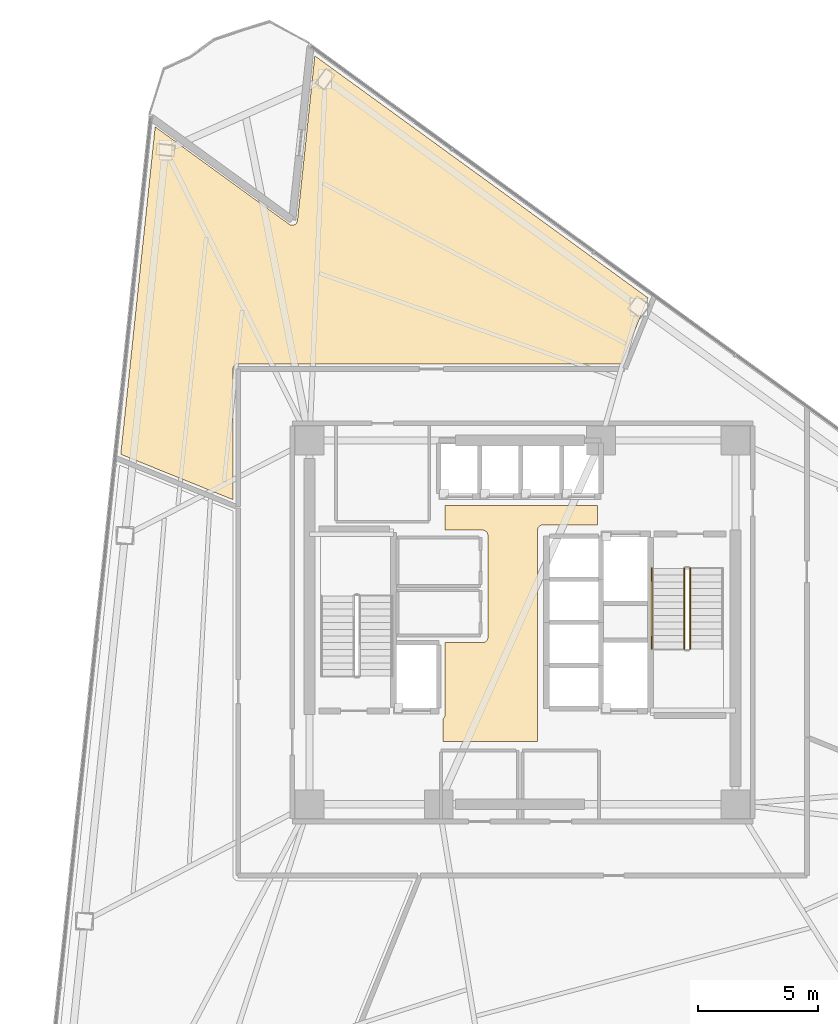
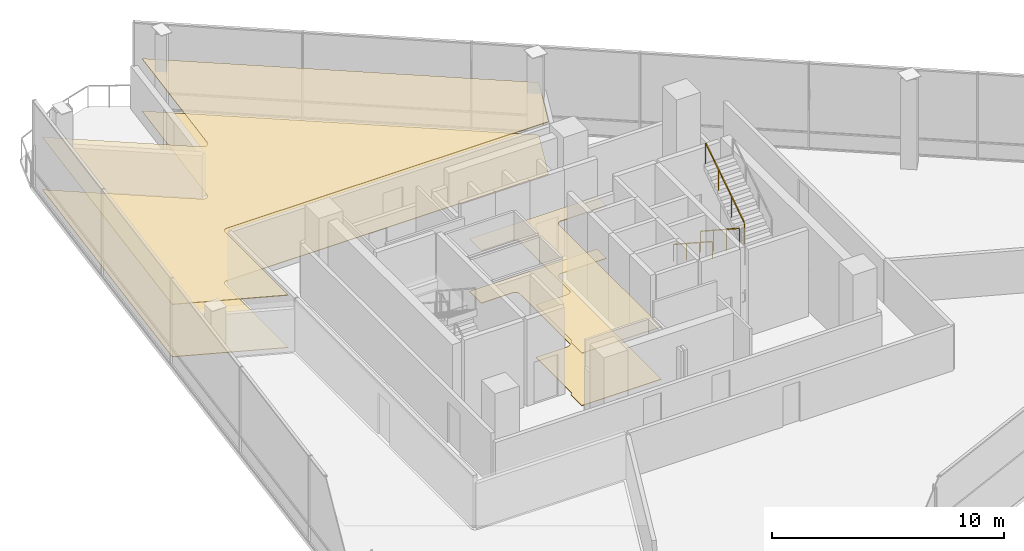
# One storey, part 16 of 18: 4 coverings, 3 railings.
"""IFC4 building model written with IfcOpenShell, lengths in metres."""

from ifc_helpers import new_model, si_unit, direction, frame, origin, origin_2d, place, context, subcontext, project, spatial, polyline, rectangle, outline, extrude, material, layer, layer_set, type_object, element, save


model = new_model("IFC4")

# Units and contexts
model_context = context("Model", 3, precision=1e-05, world=origin(), true_north=direction((0.0, 1.0)))
body_context = subcontext(model_context, "Body", "Model", "MODEL_VIEW")
ifc_project = project(units=[si_unit("LENGTHUNIT", "METRE"), si_unit("AREAUNIT", "SQUARE_METRE"), si_unit("VOLUMEUNIT", "CUBIC_METRE"), si_unit("PLANEANGLEUNIT", "RADIAN"), si_unit("MASSUNIT", "GRAM", prefix="KILO")], contexts=[model_context])

# Site, building, storey
site_placement = place(None, origin())
site = spatial("IfcSite", under=ifc_project, at=site_placement, CompositionType="ELEMENT")
building_placement = place(site_placement, origin())
building = spatial("IfcBuilding", under=site, at=building_placement, Name="Tharavind Bronze Gate", CompositionType="ELEMENT")
storey_placement = place(building_placement, frame((0.0, 0.0, 134.050048828125)))
storey = spatial("IfcBuildingStorey", under=building, at=storey_placement, Name="L34", CompositionType="ELEMENT", Elevation=134.050048828125)

# Coverings
ifc_material_1 = material(Name="Perforated Bronze Acoustic Panel", Category="bronze")
ifc_layer_1 = layer(ifc_material_1, 0.044921875)
ifc_layer_set_1 = layer_set([ifc_layer_1], Name="Perforated Bronze Acoustic Panel")
covering_type_1 = type_object("IfcCoveringType", Name="ACOUSTIC BRONZE BAFFLE CEILING", PredefinedType="CEILING", material=ifc_layer_set_1)
covering_1_placement = place(storey_placement, frame((0.0, 0.0, 2.75)))
element("IfcCovering", 1, at=covering_1_placement, inside=storey, type_object=covering_type_1, Name="L34-C-LL suspended ceiling", PredefinedType="CEILING", context=body_context, shape_type="SweptSolid", body=[
    extrude(outline(polyline([(-3.330078125, -4.97998046875), (0.6298828125, -4.97998046875), (0.6298828125, 3.85009765625), (0.631103515625, 3.87158203125), (0.63427734375, 3.892822265625), (0.639404296875, 3.913818359375), (0.646728515625, 3.93408203125), (0.656005859375, 3.95361328125), (0.6669921875, 3.97216796875), (0.679931640625, 3.989501953125), (0.6943359375, 4.005615234375), (0.71044921875, 4.02001953125), (0.727783203125, 4.032958984375), (0.746337890625, 4.0439453125), (0.765869140625, 4.05322265625), (0.7861328125, 4.060546875), (0.80712890625, 4.06591796875), (0.828369140625, 4.06884765625), (0.85009765625, 4.070068359375), (3.1298828125, 4.070068359375), (3.1298828125, 4.8798828125), (-3.22998046875, 4.8798828125), (-3.22998046875, 3.85009765625), (-1.669921875, 3.85009765625), (-1.6484375, 3.848876953125), (-1.627197265625, 3.845703125), (-1.606201171875, 3.840576171875), (-1.585693359375, 3.833251953125), (-1.56640625, 3.823974609375), (-1.5478515625, 3.81298828125), (-1.530517578125, 3.800048828125), (-1.514404296875, 3.78564453125), (-1.5, 3.76953125), (-1.487060546875, 3.752197265625), (-1.47607421875, 3.733642578125), (-1.466796875, 3.714111328125), (-1.45947265625, 3.69384765625), (-1.4541015625, 3.6728515625), (-1.451171875, 3.651611328125), (-1.449951171875, 3.6298828125), (-1.449951171875, 1.43994140625), (-1.450439453125, 1.429931640625), (-1.449951171875, 1.419921875), (-1.449951171875, -0.6298828125), (-1.451171875, -0.651611328125), (-1.4541015625, -0.6728515625), (-1.45947265625, -0.69384765625), (-1.466796875, -0.714111328125), (-1.47607421875, -0.733642578125), (-1.487060546875, -0.752197265625), (-1.5, -0.76953125), (-1.514404296875, -0.78564453125), (-1.530517578125, -0.800048828125), (-1.5478515625, -0.81298828125), (-1.56640625, -0.823974609375), (-1.585693359375, -0.833251953125), (-1.606201171875, -0.840576171875), (-1.627197265625, -0.845703125), (-1.6484375, -0.848876953125), (-1.669921875, -0.85009765625), (-3.22998046875, -0.85009765625), (-3.22998046875, -3.85009765625), (-3.231201171875, -3.87158203125), (-3.234130859375, -3.892822265625), (-3.239501953125, -3.913818359375), (-3.24658203125, -3.93408203125), (-3.256103515625, -3.95361328125), (-3.26708984375, -3.97216796875), (-3.27978515625, -3.989501953125), (-3.29443359375, -4.005615234375), (-3.310302734375, -4.02001953125), (-3.327880859375, -4.032958984375), (-3.330078125, -4.0341796875), (-3.330078125, -4.97998046875)])), origin(), (0.0, 0.0, 1.0), 0.034912109375),
])
ifc_material_2 = material(Name="Engineered Oak & Carpet Tile", Category="wood")
ifc_layer_2 = layer(ifc_material_2, 0.02490234375)
ifc_layer_set_2 = layer_set([ifc_layer_2], Name="Engineered Oak & Carpet Tile")
covering_type_2 = type_object("IfcCoveringType", Name="ENGINEERED TIMBER FLOORING", PredefinedType="FLOORING", material=ifc_layer_set_2)
covering_2_placement = place(storey_placement, origin())
element("IfcCovering", 2, at=covering_2_placement, inside=storey, type_object=covering_type_2, Name="L34-RM-01 floor finish", PredefinedType="FLOORING", context=body_context, shape_type="SweptSolid", body=[
    extrude(outline(polyline([(-12.10009765625, 5.1259765625), (-12.10009765625, 10.579345703125), (-12.099609375, 10.590087890625), (-12.099609375, 10.5908203125), (-12.09765625, 10.6123046875), (-12.093505859375, 10.63330078125), (-12.087158203125, 10.654052734375), (-12.078857421875, 10.674072265625), (-12.068603515625, 10.693115234375), (-12.056640625, 10.7109375), (-12.04296875, 10.727783203125), (-12.027587890625, 10.742919921875), (-12.010986328125, 10.756591796875), (-11.9931640625, 10.768798828125), (-11.97412109375, 10.77880859375), (-11.9541015625, 10.787109375), (-11.933349609375, 10.79345703125), (-11.912353515625, 10.797607421875), (-11.890869140625, 10.7998046875), (-11.89013671875, 10.7998046875), (-11.87939453125, 10.800048828125), (4.126220703125, 10.800048828125), (5.239501953125, 13.555908203125), (-8.6796875, 23.6689453125), (-9.40283203125, 16.78857421875), (-9.404296875, 16.777587890625), (-9.404296875, 16.777099609375), (-9.408935546875, 16.755615234375), (-9.41552734375, 16.734619140625), (-9.424072265625, 16.714599609375), (-9.434814453125, 16.6953125), (-9.447021484375, 16.67724609375), (-9.461181640625, 16.660400390625), (-9.47705078125, 16.645263671875), (-9.494384765625, 16.631591796875), (-9.5126953125, 16.619873046875), (-9.5322265625, 16.610107421875), (-9.552734375, 16.60205078125), (-9.573974609375, 16.59619140625), (-9.595703125, 16.592529296875), (-9.617431640625, 16.591064453125), (-9.639404296875, 16.591796875), (-9.6611328125, 16.594482421875), (-9.6826171875, 16.599609375), (-9.703125, 16.606689453125), (-9.72314453125, 16.61572265625), (-9.7421875, 16.626708984375), (-9.74267578125, 16.627197265625), (-9.751708984375, 16.63330078125), (-15.3486328125, 20.69970703125), (-16.78662109375, 7.01953125), (-12.10009765625, 5.1259765625)])), origin(), (0.0, 0.0, 1.0), 0.02490234375),
])
ifc_material_3 = material(Name="Acoustic Gypsum Board", Category="gypsum")
ifc_layer_3 = layer(ifc_material_3, 0.030029296875)
ifc_layer_set_3 = layer_set([ifc_layer_3], Name="Acoustic Gypsum Board")
covering_type_3 = type_object("IfcCoveringType", Name="GYPSUM SUSPENDED CEILING", PredefinedType="CEILING", material=ifc_layer_set_3)
covering_3_placement = place(storey_placement, frame((0.0, 0.0, 2.75)))
element("IfcCovering", 3, at=covering_3_placement, inside=storey, type_object=covering_type_3, Name="L34-RM-01 suspended ceiling", PredefinedType="CEILING", context=body_context, shape_type="SweptSolid", body=[
    extrude(outline(polyline([(-12.10009765625, 5.1259765625), (-12.10009765625, 10.579345703125), (-12.099609375, 10.590087890625), (-12.099609375, 10.5908203125), (-12.09765625, 10.6123046875), (-12.093505859375, 10.63330078125), (-12.087158203125, 10.654052734375), (-12.078857421875, 10.674072265625), (-12.068603515625, 10.693115234375), (-12.056640625, 10.7109375), (-12.04296875, 10.727783203125), (-12.027587890625, 10.742919921875), (-12.010986328125, 10.756591796875), (-11.9931640625, 10.768798828125), (-11.97412109375, 10.77880859375), (-11.9541015625, 10.787109375), (-11.933349609375, 10.79345703125), (-11.912353515625, 10.797607421875), (-11.890869140625, 10.7998046875), (-11.89013671875, 10.7998046875), (-11.87939453125, 10.800048828125), (4.126220703125, 10.800048828125), (5.239501953125, 13.555908203125), (-8.6796875, 23.6689453125), (-9.40283203125, 16.78857421875), (-9.404296875, 16.777587890625), (-9.404296875, 16.777099609375), (-9.408935546875, 16.755615234375), (-9.41552734375, 16.734619140625), (-9.424072265625, 16.714599609375), (-9.434814453125, 16.6953125), (-9.447021484375, 16.67724609375), (-9.461181640625, 16.660400390625), (-9.47705078125, 16.645263671875), (-9.494384765625, 16.631591796875), (-9.5126953125, 16.619873046875), (-9.5322265625, 16.610107421875), (-9.552734375, 16.60205078125), (-9.573974609375, 16.59619140625), (-9.595703125, 16.592529296875), (-9.617431640625, 16.591064453125), (-9.639404296875, 16.591796875), (-9.6611328125, 16.594482421875), (-9.6826171875, 16.599609375), (-9.703125, 16.606689453125), (-9.72314453125, 16.61572265625), (-9.7421875, 16.626708984375), (-9.74267578125, 16.627197265625), (-9.751708984375, 16.63330078125), (-15.3486328125, 20.69970703125), (-16.78662109375, 7.01953125), (-12.10009765625, 5.1259765625)])), origin(), (0.0, 0.0, 1.0), 0.034912109375),
])
ifc_material_4 = material(Name="Honed Travertine Limestone", Category="masonry")
ifc_layer_4 = layer(ifc_material_4, 0.030029296875)
ifc_layer_set_4 = layer_set([ifc_layer_4], Name="Honed Travertine Limestone")
covering_type_4 = type_object("IfcCoveringType", Name="HONED LIMESTONE FLOORING", PredefinedType="FLOORING", material=ifc_layer_set_4)
covering_4_placement = place(storey_placement, origin())
element("IfcCovering", 4, at=covering_4_placement, inside=storey, type_object=covering_type_4, Name="L34-C-LL floor finish", PredefinedType="FLOORING", context=body_context, shape_type="SweptSolid", body=[
    extrude(outline(polyline([(-3.330078125, -4.97998046875), (0.6298828125, -4.97998046875), (0.6298828125, 3.85009765625), (0.631103515625, 3.87158203125), (0.63427734375, 3.892822265625), (0.639404296875, 3.913818359375), (0.646728515625, 3.93408203125), (0.656005859375, 3.95361328125), (0.6669921875, 3.97216796875), (0.679931640625, 3.989501953125), (0.6943359375, 4.005615234375), (0.71044921875, 4.02001953125), (0.727783203125, 4.032958984375), (0.746337890625, 4.0439453125), (0.765869140625, 4.05322265625), (0.7861328125, 4.060546875), (0.80712890625, 4.06591796875), (0.828369140625, 4.06884765625), (0.85009765625, 4.070068359375), (3.1298828125, 4.070068359375), (3.1298828125, 4.8798828125), (-3.22998046875, 4.8798828125), (-3.22998046875, 3.85009765625), (-1.669921875, 3.85009765625), (-1.6484375, 3.848876953125), (-1.627197265625, 3.845703125), (-1.606201171875, 3.840576171875), (-1.585693359375, 3.833251953125), (-1.56640625, 3.823974609375), (-1.5478515625, 3.81298828125), (-1.530517578125, 3.800048828125), (-1.514404296875, 3.78564453125), (-1.5, 3.76953125), (-1.487060546875, 3.752197265625), (-1.47607421875, 3.733642578125), (-1.466796875, 3.714111328125), (-1.45947265625, 3.69384765625), (-1.4541015625, 3.6728515625), (-1.451171875, 3.651611328125), (-1.449951171875, 3.6298828125), (-1.449951171875, 1.43994140625), (-1.450439453125, 1.429931640625), (-1.449951171875, 1.419921875), (-1.449951171875, -0.6298828125), (-1.451171875, -0.651611328125), (-1.4541015625, -0.6728515625), (-1.45947265625, -0.69384765625), (-1.466796875, -0.714111328125), (-1.47607421875, -0.733642578125), (-1.487060546875, -0.752197265625), (-1.5, -0.76953125), (-1.514404296875, -0.78564453125), (-1.530517578125, -0.800048828125), (-1.5478515625, -0.81298828125), (-1.56640625, -0.823974609375), (-1.585693359375, -0.833251953125), (-1.606201171875, -0.840576171875), (-1.627197265625, -0.845703125), (-1.6484375, -0.848876953125), (-1.669921875, -0.85009765625), (-3.22998046875, -0.85009765625), (-3.22998046875, -3.85009765625), (-3.231201171875, -3.87158203125), (-3.234130859375, -3.892822265625), (-3.239501953125, -3.913818359375), (-3.24658203125, -3.93408203125), (-3.256103515625, -3.95361328125), (-3.26708984375, -3.97216796875), (-3.27978515625, -3.989501953125), (-3.29443359375, -4.005615234375), (-3.310302734375, -4.02001953125), (-3.327880859375, -4.032958984375), (-3.330078125, -4.0341796875), (-3.330078125, -4.97998046875)])), origin(), (0.0, 0.0, 1.0), 0.02490234375),
])

# Railings
ifc_material_5 = material(Name="Brushed Bronze Alloy", Category="metal")
railing_type_1 = type_object("IfcRailingType", Name="STAIR BRONZE HANDRAIL 900", PredefinedType="HANDRAIL", material=ifc_material_5)
railing_1_placement = place(storey_placement, frame((5.39990234375, 2.25, 0.1826171875)))
element("IfcRailing", 5, at=railing_1_placement, inside=storey, type_object=railing_type_1, Name="L34 ST2 stair handrail 1", PredefinedType="HANDRAIL", context=body_context, shape_type="SweptSolid", body=[
    extrude(rectangle(XDim=0.048095703125, YDim=0.048095703125, at=origin_2d()), frame((0.0, -0.02685546875, 0.893310546875), z_axis=(0.0, -0.837495574281, 0.546444107901), x_axis=(1.0, 0.0, 0.0)), (0.0, 0.0, 1.0), 3.947998046875),
    extrude(rectangle(XDim=0.0400390625, YDim=0.0400390625, at=origin_2d()), origin(), (0.0, 0.0, 1.0), 0.847900390625),
    extrude(rectangle(XDim=0.0400390625, YDim=0.0400390625, at=origin_2d()), frame((0.0, -1.1201171875, 0.730712890625)), (0.0, 0.0, 1.0), 0.847900390625),
    extrude(rectangle(XDim=0.0400390625, YDim=0.0400390625, at=origin_2d()), frame((0.0, -2.239990234375, 1.461669921875)), (0.0, 0.0, 1.0), 0.847900390625),
    extrude(rectangle(XDim=0.0400390625, YDim=0.0400390625, at=origin_2d()), frame((0.0, -3.360107421875, 2.1923828125)), (0.0, 0.0, 1.0), 0.847900390625),
])
railing_type_2 = type_object("IfcRailingType", Name="STAIR WELL GUARD RAILING 1120", PredefinedType="GUARDRAIL", material=ifc_material_5)
railing_2_placement = place(storey_placement, frame((6.75, 2.25, 0.1826171875)))
element("IfcRailing", 6, at=railing_2_placement, inside=storey, type_object=railing_type_2, Name="L34 ST2 stair guard 1", PredefinedType="GUARDRAIL", context=body_context, shape_type="SweptSolid", body=[
    extrude(rectangle(XDim=0.048095703125, YDim=0.048095703125, at=origin_2d()), frame((0.0, -0.02685546875, 1.113525390625), z_axis=(0.0, -0.837495574281, 0.546444107901), x_axis=(1.0, 0.0, 0.0)), (0.0, 0.0, 1.0), 3.947998046875),
    extrude(rectangle(XDim=0.0400390625, YDim=0.0400390625, at=origin_2d()), origin(), (0.0, 0.0, 1.0), 1.068115234375),
    extrude(rectangle(XDim=0.0400390625, YDim=0.0400390625, at=origin_2d()), frame((0.0, -1.1201171875, 0.730712890625)), (0.0, 0.0, 1.0), 1.068115234375),
    extrude(rectangle(XDim=0.0400390625, YDim=0.0400390625, at=origin_2d()), frame((0.0, -2.239990234375, 1.461669921875)), (0.0, 0.0, 1.0), 1.068115234375),
    extrude(rectangle(XDim=0.0400390625, YDim=0.0400390625, at=origin_2d()), frame((0.0, -3.360107421875, 2.1923828125)), (0.0, 0.0, 1.0), 1.068115234375),
])
railing_3_placement = place(storey_placement, frame((7.0, -1.110107421875, 2.5576171875)))
element("IfcRailing", 7, at=railing_3_placement, inside=storey, type_object=railing_type_2, Name="L34 ST2 stair guard 3", PredefinedType="GUARDRAIL", context=body_context, shape_type="SweptSolid", body=[
    extrude(rectangle(XDim=0.048095703125, YDim=0.048095703125, at=origin_2d()), frame((0.0, 0.02685546875, 1.113525390625), z_axis=(0.0, 0.837495574281, 0.546444107901), x_axis=(-1.0, 0.0, 0.0)), (0.0, 0.0, 1.0), 3.947998046875),
    extrude(rectangle(XDim=0.0400390625, YDim=0.0400390625, at=origin_2d()), origin(), (0.0, 0.0, 1.0), 1.068115234375),
    extrude(rectangle(XDim=0.0400390625, YDim=0.0400390625, at=origin_2d()), frame((0.0, 1.1201171875, 0.730712890625)), (0.0, 0.0, 1.0), 1.068115234375),
    extrude(rectangle(XDim=0.0400390625, YDim=0.0400390625, at=origin_2d()), frame((0.0, 2.239990234375, 1.461669921875)), (0.0, 0.0, 1.0), 1.068115234375),
    extrude(rectangle(XDim=0.0400390625, YDim=0.0400390625, at=origin_2d()), frame((0.0, 3.360107421875, 2.1923828125)), (0.0, 0.0, 1.0), 1.068115234375),
])

save(model, "model.ifc")
